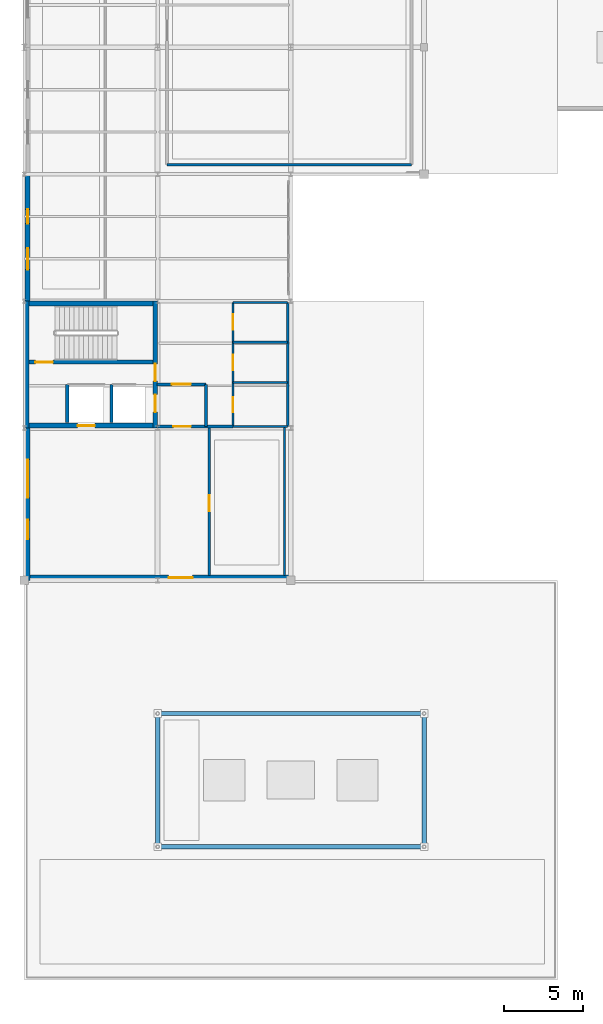
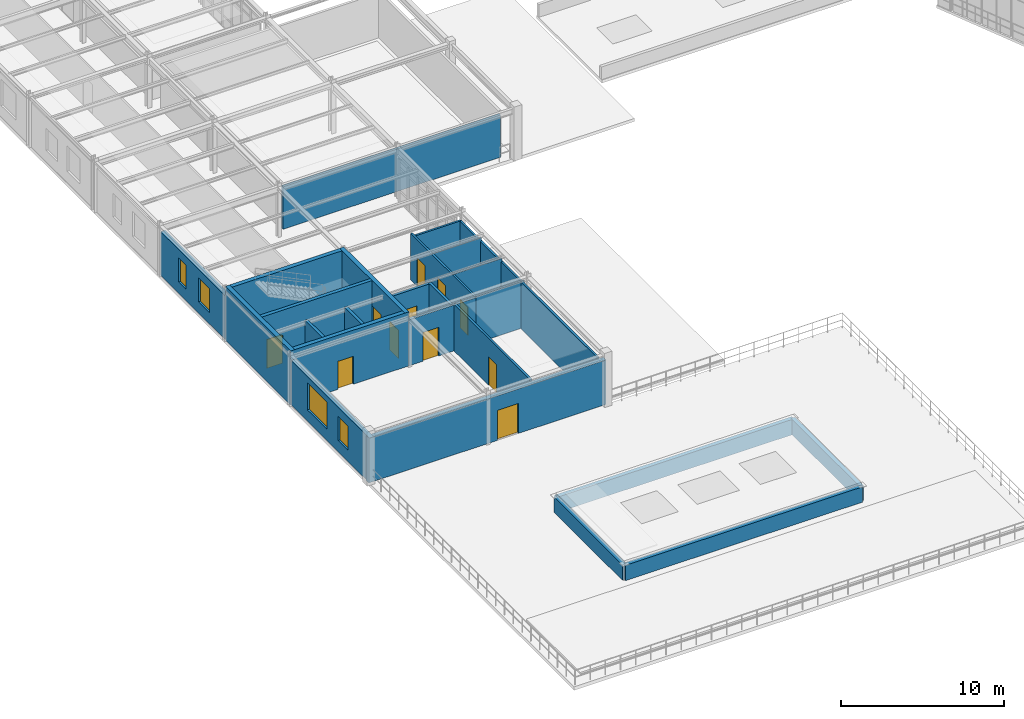
# One storey, part 53 of 70: 26 walls, 11 doors, 4 windows, 15 openings.
"""IFC4 building model written with IfcOpenShell, lengths in metres."""

from ifc_helpers import new_model, si_unit, derived_unit, direction, frame, frame_2d, origin, place, context, subcontext, project, spatial, rectangle, extrude, material, layer, layer_set, type_object, element, fill, save


model = new_model("IFC4")

# Units and contexts
model_context = context("Model", 3, precision=1e-05, world=origin(), true_north=direction((0.0, 1.0)))
body_context = subcontext(model_context, "Body", "Model", "MODEL_VIEW")
ifc_project = project(units=[si_unit("LENGTHUNIT", "METRE"), si_unit("AREAUNIT", "SQUARE_METRE"), si_unit("VOLUMEUNIT", "CUBIC_METRE"), si_unit("PLANEANGLEUNIT", "RADIAN"), si_unit("MASSUNIT", "GRAM", prefix="KILO"), derived_unit("THERMALTRANSMITTANCEUNIT", [(si_unit("POWERUNIT", "WATT"), 1), (si_unit("AREAUNIT", "SQUARE_METRE"), -1), (si_unit("THERMODYNAMICTEMPERATUREUNIT", "KELVIN"), -1)])], contexts=[model_context])

# Site, building, storey
site_placement = place(None, origin())
site = spatial("IfcSite", under=ifc_project, at=site_placement, CompositionType="ELEMENT")
building_placement = place(site_placement, origin())
building = spatial("IfcBuilding", under=site, at=building_placement, Name="Yasenodar Specialist Clinic", CompositionType="ELEMENT")
storey_placement = place(building_placement, frame((0.0, 0.0, 13.199951171875)))
storey = spatial("IfcBuildingStorey", under=building, at=storey_placement, Name="L03", CompositionType="ELEMENT", Elevation=13.199951171875)

# Walls
ifc_material_1 = material(Name="Courtyard Lime-Render Insulated Wall")
ifc_layer_1 = layer(ifc_material_1, 0.280029296875)
ifc_layer_set_1 = layer_set([ifc_layer_1], Name="Courtyard Lime-Render Insulated Wall")
wall_type_1 = type_object("IfcWallType", Name="EW-COURT-280", PredefinedType="SOLIDWALL", material=ifc_layer_set_1)
wall_1_placement = place(storey_placement, frame((8.39990234375, 8.39990234375, 0.0), z_axis=(0.0, 0.0, 1.0), x_axis=(0.0, 1.0, 0.0)))
element("IfcWall", 1, at=wall_1_placement, inside=storey, type_object=wall_type_1, Name="L03 Imaging Skylight Lantern Curb Wall", PredefinedType="SOLIDWALL", context=body_context, shape_type="SweptSolid", body=[
    extrude(rectangle(XDim=8.400146484375, YDim=0.280029296875, at=frame_2d((4.2001953125, 0.0))), origin(), (0.0, 0.0, 1.0), 1.150146484375),
])
wall_2_placement = place(storey_placement, frame((8.39990234375, 16.800048828125, 0.0), z_axis=(0.0, 0.0, 1.0), x_axis=(1.0, 0.0, 0.0)))
element("IfcWall", 2, at=wall_2_placement, inside=storey, type_object=wall_type_1, Name="L03 Imaging Skylight Lantern Curb Wall", PredefinedType="SOLIDWALL", context=body_context, shape_type="SweptSolid", body=[
    extrude(rectangle(XDim=16.800048828125, YDim=0.280029296875, at=frame_2d((8.39990234375, 0.0))), origin(), (0.0, 0.0, 1.0), 1.150146484375),
])
wall_3_placement = place(storey_placement, frame((25.199951171875, 16.800048828125, 0.0), z_axis=(0.0, 0.0, 1.0), x_axis=(0.0, -1.0, 0.0)))
element("IfcWall", 3, at=wall_3_placement, inside=storey, type_object=wall_type_1, Name="L03 Imaging Skylight Lantern Curb Wall", PredefinedType="SOLIDWALL", context=body_context, shape_type="SweptSolid", body=[
    extrude(rectangle(XDim=8.400146484375, YDim=0.280029296875, at=frame_2d((4.2001953125, 0.0))), origin(), (0.0, 0.0, 1.0), 1.150146484375),
])
wall_4_placement = place(storey_placement, frame((25.199951171875, 8.39990234375, 0.0), z_axis=(0.0, 0.0, 1.0), x_axis=(-1.0, 0.0, 0.0)))
element("IfcWall", 4, at=wall_4_placement, inside=storey, type_object=wall_type_1, Name="L03 Imaging Skylight Lantern Curb Wall", PredefinedType="SOLIDWALL", context=body_context, shape_type="SweptSolid", body=[
    extrude(rectangle(XDim=16.800048828125, YDim=0.280029296875, at=frame_2d((8.39990234375, 0.0))), origin(), (0.0, 0.0, 1.0), 1.150146484375),
])

# Wall, openings, windows
ifc_material_2 = material(Name="Buff Architectural Terracotta Rainscreen", Category="masonry")
ifc_layer_2 = layer(ifc_material_2, 0.340087890625)
ifc_layer_set_2 = layer_set([ifc_layer_2], Name="Buff Architectural Terracotta Rainscreen")
wall_type_2 = type_object("IfcWallType", Name="EW-TERR-340", PredefinedType="SOLIDWALL", material=ifc_layer_set_2)
wall_5_placement = place(storey_placement, frame((0.199951171875, 25.199951171875, 0.0), z_axis=(0.0, 0.0, 1.0), x_axis=(0.0, 1.0, 0.0)))
wall_5 = element("IfcWall", 5, at=wall_5_placement, inside=storey, type_object=wall_type_2, Name="L03 Exterior Facade Wall 0110", PredefinedType="SOLIDWALL", context=body_context, shape_type="SweptSolid", body=[
    extrude(rectangle(XDim=9.60009765625, YDim=0.340087890625, at=frame_2d((4.800048828125, 0.0))), origin(), (0.0, 0.0, 1.0), 3.338134765625),
])
opening_1_placement = place(wall_5_placement, frame((2.60009765625, 0.0, 0.85009765625)))
opening_1 = element("IfcOpeningElement", 6, at=opening_1_placement, cuts=wall_5, Name="Opening W-01", PredefinedType="OPENING", context=body_context, shape_type="SweptSolid", body=[
    extrude(rectangle(XDim=1.199951171875, YDim=1.800048828125, at=frame_2d((0.60009765625, 0.89990234375))), frame((0.0, 0.18017578125, 0.0), z_axis=(0.0, -1.0, 0.0), x_axis=(1.0, 0.0, 0.0)), (0.0, 0.0, 1.0), 0.360107421875),
])
opening_2_placement = place(wall_5_placement, frame((5.199951171875, 0.0, 0.85009765625)))
opening_2 = element("IfcOpeningElement", 7, at=opening_2_placement, cuts=wall_5, Name="Opening W-08", PredefinedType="OPENING", context=body_context, shape_type="SweptSolid", body=[
    extrude(rectangle(XDim=2.39990234375, YDim=2.050048828125, at=frame_2d((1.199951171875, 1.02490234375))), frame((0.0, 0.18017578125, 0.0), z_axis=(0.0, -1.0, 0.0), x_axis=(1.0, 0.0, 0.0)), (0.0, 0.0, 1.0), 0.360107421875),
])
ifc_material_3 = material(Name="Triple Low-E Argon Glazing in Bronze Aluminium Frame", Category="aluminium")
window_type_1 = type_object("IfcWindowType", Name="WIN-EXT-01", PartitioningType="SINGLE_PANEL", PredefinedType="WINDOW", material=ifc_material_3)
window_1_placement = place(opening_1_placement, origin())
window_1 = element("IfcWindow", 8, at=window_1_placement, inside=storey, type_object=window_type_1, Name="L03 Triple-Glazed Reveal Window 0109", OverallHeight=1.800048828125, OverallWidth=1.199951171875, PartitioningType="SINGLE_PANEL", PredefinedType="WINDOW", context=body_context, shape_type="SweptSolid", body=[
    extrude(rectangle(XDim=1.199951171875, YDim=1.800048828125, at=frame_2d((0.60009765625, 0.89990234375))), frame((0.0, 0.030029296875, 0.0), z_axis=(0.0, -1.0, 0.0), x_axis=(1.0, 0.0, 0.0)), (0.0, 0.0, 1.0), 0.06005859375),
])
fill(opening_1, window_1)
window_type_2 = type_object("IfcWindowType", Name="WIN-EXT-08", PartitioningType="SINGLE_PANEL", PredefinedType="WINDOW", material=ifc_material_3)
window_2_placement = place(opening_2_placement, origin())
window_2 = element("IfcWindow", 9, at=window_2_placement, inside=storey, type_object=window_type_2, Name="L03 Triple-Glazed Reveal Window 0110", OverallHeight=2.050048828125, OverallWidth=2.39990234375, PartitioningType="SINGLE_PANEL", PredefinedType="WINDOW", context=body_context, shape_type="SweptSolid", body=[
    extrude(rectangle(XDim=2.39990234375, YDim=2.050048828125, at=frame_2d((1.199951171875, 1.02490234375))), frame((0.0, 0.030029296875, 0.0), z_axis=(0.0, -1.0, 0.0), x_axis=(1.0, 0.0, 0.0)), (0.0, 0.0, 1.0), 0.06005859375),
])
fill(opening_2, window_2)

wall_6_placement = place(storey_placement, frame((0.199951171875, 42.800048828125, 0.0), z_axis=(0.0, 0.0, 1.0), x_axis=(0.0, 1.0, 0.0)))
wall_6 = element("IfcWall", 10, at=wall_6_placement, inside=storey, type_object=wall_type_2, Name="L03 Exterior Facade Wall 0111", PredefinedType="SOLIDWALL", context=body_context, shape_type="SweptSolid", body=[
    extrude(rectangle(XDim=8.0, YDim=0.340087890625, at=frame_2d((4.0, 0.0))), origin(), (0.0, 0.0, 1.0), 3.278076171875),
])
opening_3_placement = place(wall_6_placement, frame((1.99169921875, 0.0, 0.85009765625)))
opening_3 = element("IfcOpeningElement", 11, at=opening_3_placement, cuts=wall_6, Name="Opening W-02", PredefinedType="OPENING", context=body_context, shape_type="SweptSolid", body=[
    extrude(rectangle(XDim=1.35009765625, YDim=1.800048828125, at=frame_2d((0.675048828125, 0.89990234375))), frame((0.0, 0.18017578125, 0.0), z_axis=(0.0, -1.0, 0.0), x_axis=(1.0, 0.0, 0.0)), (0.0, 0.0, 1.0), 0.360107421875),
])
opening_4_placement = place(wall_6_placement, frame((4.88330078125, 0.0, 0.85009765625)))
opening_4 = element("IfcOpeningElement", 12, at=opening_4_placement, cuts=wall_6, Name="Opening W-09", PredefinedType="OPENING", context=body_context, shape_type="SweptSolid", body=[
    extrude(rectangle(XDim=0.89990234375, YDim=1.800048828125, at=frame_2d((0.449951171875, 0.89990234375))), frame((0.0, 0.18017578125, 0.0), z_axis=(0.0, -1.0, 0.0), x_axis=(1.0, 0.0, 0.0)), (0.0, 0.0, 1.0), 0.360107421875),
])
window_type_3 = type_object("IfcWindowType", Name="WIN-EXT-02", PartitioningType="SINGLE_PANEL", PredefinedType="WINDOW", material=ifc_material_3)
window_3_placement = place(opening_3_placement, origin())
window_3 = element("IfcWindow", 13, at=window_3_placement, inside=storey, type_object=window_type_3, Name="L03 Triple-Glazed Reveal Window 0111", OverallHeight=1.800048828125, OverallWidth=1.35009765625, PartitioningType="SINGLE_PANEL", PredefinedType="WINDOW", context=body_context, shape_type="SweptSolid", body=[
    extrude(rectangle(XDim=1.35009765625, YDim=1.800048828125, at=frame_2d((0.675048828125, 0.89990234375))), frame((0.0, 0.030029296875, 0.0), z_axis=(0.0, -1.0, 0.0), x_axis=(1.0, 0.0, 0.0)), (0.0, 0.0, 1.0), 0.06005859375),
])
fill(opening_3, window_3)
window_type_4 = type_object("IfcWindowType", Name="WIN-EXT-09", PartitioningType="SINGLE_PANEL", PredefinedType="WINDOW", material=ifc_material_3)
window_4_placement = place(opening_4_placement, origin())
window_4 = element("IfcWindow", 14, at=window_4_placement, inside=storey, type_object=window_type_4, Name="L03 Triple-Glazed Reveal Window 0112", OverallHeight=1.800048828125, OverallWidth=0.89990234375, PartitioningType="SINGLE_PANEL", PredefinedType="WINDOW", context=body_context, shape_type="SweptSolid", body=[
    extrude(rectangle(XDim=0.89990234375, YDim=1.800048828125, at=frame_2d((0.449951171875, 0.89990234375))), frame((0.0, 0.030029296875, 0.0), z_axis=(0.0, -1.0, 0.0), x_axis=(1.0, 0.0, 0.0)), (0.0, 0.0, 1.0), 0.06005859375),
])
fill(opening_4, window_4)

# Wall, opening, door
wall_7_placement = place(storey_placement, frame((16.800048828125, 25.35009765625, 0.0), z_axis=(0.0, 0.0, 1.0), x_axis=(-1.0, 0.0, 0.0)))
wall_7 = element("IfcWall", 15, at=wall_7_placement, inside=storey, type_object=wall_type_2, Name="L03 Exterior Facade Wall 0118", PredefinedType="SOLIDWALL", context=body_context, shape_type="SweptSolid", body=[
    extrude(rectangle(XDim=16.800048828125, YDim=0.340087890625, at=frame_2d((8.39990234375, 0.0))), origin(), (0.0, 0.0, 1.0), 3.338134765625),
])
opening_5_placement = place(wall_7_placement, frame((6.199951171875, 0.0, 0.0)))
opening_5 = element("IfcOpeningElement", 16, at=opening_5_placement, cuts=wall_7, Name="Opening TD-01", PredefinedType="OPENING", context=body_context, shape_type="SweptSolid", body=[
    extrude(rectangle(XDim=1.5, YDim=2.25, at=frame_2d((0.75, 1.125))), frame((0.0, 0.18017578125, 0.0), z_axis=(0.0, -1.0, 0.0), x_axis=(1.0, 0.0, 0.0)), (0.0, 0.0, 1.0), 0.360107421875),
])
ifc_material_4 = material(Name="Thermally Broken Bronze Anodized Aluminium and Laminated Glass", Category="aluminium")
door_type_1 = type_object("IfcDoorType", Name="DR-TERR-150", OperationType="DOUBLE_DOOR_SINGLE_SWING", PredefinedType="DOOR", material=ifc_material_4)
door_1_placement = place(opening_5_placement, origin())
door_1 = element("IfcDoor", 17, at=door_1_placement, inside=storey, type_object=door_type_1, Name="L03 L03 V2 Planted Roof Terrace Access Door", OperationType="DOUBLE_DOOR_SINGLE_SWING", OverallHeight=2.25, OverallWidth=1.5, PredefinedType="DOOR", context=body_context, shape_type="SweptSolid", body=[
    extrude(rectangle(XDim=1.5, YDim=2.25, at=frame_2d((0.75, 1.125))), frame((0.0, 0.02490234375, 0.0), z_axis=(0.0, -1.0, 0.0), x_axis=(1.0, 0.0, 0.0)), (0.0, 0.0, 1.0), 0.050048828125),
])
fill(opening_5, door_1)

ifc_material_5 = material(Name="Outpatient Examination Partition")
ifc_layer_3 = layer(ifc_material_5, 0.14990234375)
ifc_layer_set_3 = layer_set([ifc_layer_3], Name="Outpatient Examination Partition")
wall_type_3 = type_object("IfcWallType", Name="IW-CONS-150", PredefinedType="PARTITIONING", material=ifc_layer_set_3)
wall_8_placement = place(storey_placement, frame((11.64990234375, 25.5, 0.0), z_axis=(0.0, 0.0, 1.0), x_axis=(0.0, 1.0, 0.0)))
wall_8 = element("IfcWall", 18, at=wall_8_placement, inside=storey, type_object=wall_type_3, Name="L03 Terrace Rehabilitation Lounge Partition", PredefinedType="PARTITIONING", context=body_context, shape_type="SweptSolid", body=[
    extrude(rectangle(XDim=9.322509765625, YDim=0.14990234375, at=frame_2d((4.6611328125, 0.0))), origin(), (0.0, 0.0, 1.0), 3.508056640625),
])
opening_6_placement = place(wall_8_placement, frame((4.050048828125, 0.0, 0.0)))
opening_6 = element("IfcOpeningElement", 19, at=opening_6_placement, cuts=wall_8, Name="Opening D-03", PredefinedType="OPENING", context=body_context, shape_type="SweptSolid", body=[
    extrude(rectangle(XDim=1.02001953125, YDim=2.14990234375, at=frame_2d((0.510009765625, 1.074951171875))), frame((0.0, 0.0849609375, 0.0), z_axis=(0.0, -1.0, 0.0), x_axis=(1.0, 0.0, 0.0)), (0.0, 0.0, 1.0), 0.169921875),
])
ifc_material_6 = material(Name="Powder-Coated Steel and Acoustic Laminate Leaf", Category="steel")
door_type_2 = type_object("IfcDoorType", Name="DR-CLN-102", OperationType="NOTDEFINED", PredefinedType="DOOR", material=ifc_material_6)
door_2_placement = place(opening_6_placement, origin())
door_2 = element("IfcDoor", 20, at=door_2_placement, inside=storey, type_object=door_type_2, Name="L03 Terrace Rehabilitation Lounge Door", OperationType="SINGLE_SWING_RIGHT", OverallHeight=2.14990234375, OverallWidth=1.02001953125, PredefinedType="DOOR", context=body_context, shape_type="SweptSolid", body=[
    extrude(rectangle(XDim=1.02001953125, YDim=2.14990234375, at=frame_2d((0.510009765625, 1.074951171875))), frame((0.0, 0.02490234375, 0.0), z_axis=(0.0, -1.0, 0.0), x_axis=(1.0, 0.0, 0.0)), (0.0, 0.0, 1.0), 0.050048828125),
])
fill(opening_6, door_2)

# Wall
wall_9_placement = place(storey_placement, frame((16.39990234375, 34.85009765625, 0.0), z_axis=(0.0, 0.0, 1.0), x_axis=(0.0, -1.0, 0.0)))
element("IfcWall", 21, at=wall_9_placement, inside=storey, type_object=wall_type_3, Name="L03 Terrace Rehabilitation Lounge Partition", PredefinedType="PARTITIONING", context=body_context, shape_type="SweptSolid", body=[
    extrude(rectangle(XDim=9.35009765625, YDim=0.14990234375, at=frame_2d((4.675048828125, 0.0))), origin(), (0.0, 0.0, 1.0), 3.508056640625),
])

# Wall, opening, door
ifc_material_7 = material(Name="Fire-Rated Gypsum and Mineral-Wool Wall")
ifc_layer_4 = layer(ifc_material_7, 0.195068359375)
ifc_layer_set_4 = layer_set([ifc_layer_4], Name="Fire-Rated Gypsum and Mineral-Wool Wall")
wall_type_4 = type_object("IfcWallType", Name="IW-LOBBY-195", PredefinedType="PARTITIONING", material=ifc_layer_set_4)
wall_10_placement = place(storey_placement, frame((8.35009765625, 37.550048828125, 0.0), z_axis=(0.0, 0.0, 1.0), x_axis=(1.0, 0.0, 0.0)))
wall_10 = element("IfcWall", 22, at=wall_10_placement, inside=storey, type_object=wall_type_4, Name="L03 C1 Passenger Lift Lobby North Wall", PredefinedType="PARTITIONING", context=body_context, shape_type="SweptSolid", body=[
    extrude(rectangle(XDim=3.099853515625, YDim=0.195068359375, at=frame_2d((1.5498046875, 0.0))), origin(), (0.0, 0.0, 1.0), 3.47802734375),
])
opening_7_placement = place(wall_10_placement, frame((0.949951171875, 0.0, 0.0)))
opening_7 = element("IfcOpeningElement", 23, at=opening_7_placement, cuts=wall_10, Name="Opening FD-02", PredefinedType="OPENING", context=body_context, shape_type="SweptSolid", body=[
    extrude(rectangle(XDim=1.199951171875, YDim=2.14990234375, at=frame_2d((0.60009765625, 1.074951171875))), frame((0.0, 0.107421875, 0.0), z_axis=(0.0, -1.0, 0.0), x_axis=(1.0, 0.0, 0.0)), (0.0, 0.0, 1.0), 0.215087890625),
])
ifc_material_8 = material(Name="Fire-Rated Insulated Steel Door", Category="steel")
door_type_3 = type_object("IfcDoorType", Name="DR-FD-120", OperationType="NOTDEFINED", PredefinedType="DOOR", material=ifc_material_8)
door_3_placement = place(opening_7_placement, origin())
door_3 = element("IfcDoor", 24, at=door_3_placement, inside=storey, type_object=door_type_3, Name="L03 C1 Passenger Lift Lobby Door", OperationType="SINGLE_SWING_LEFT", OverallHeight=2.14990234375, OverallWidth=1.199951171875, PredefinedType="DOOR", context=body_context, shape_type="SweptSolid", body=[
    extrude(rectangle(XDim=1.199951171875, YDim=2.14990234375, at=frame_2d((0.60009765625, 1.074951171875))), frame((0.0, 0.02490234375, 0.0), z_axis=(0.0, -1.0, 0.0), x_axis=(1.0, 0.0, 0.0)), (0.0, 0.0, 1.0), 0.050048828125),
])
fill(opening_7, door_3)

# Wall
wall_11_placement = place(storey_placement, frame((11.449951171875, 34.89990234375, 0.0), z_axis=(0.0, 0.0, 1.0), x_axis=(0.0, 1.0, 0.0)))
element("IfcWall", 25, at=wall_11_placement, inside=storey, type_object=wall_type_4, Name="L03 C1 Passenger Lift Lobby East Wall", PredefinedType="PARTITIONING", context=body_context, shape_type="SweptSolid", body=[
    extrude(rectangle(XDim=2.650146484375, YDim=0.195068359375, at=frame_2d((1.3251953125, 0.0))), origin(), (0.0, 0.0, 1.0), 3.508056640625),
])

# Wall, opening, door
wall_12_placement = place(storey_placement, frame((8.35009765625, 34.89990234375, 0.0), z_axis=(0.0, 0.0, 1.0), x_axis=(1.0, 0.0, 0.0)))
wall_12 = element("IfcWall", 26, at=wall_12_placement, inside=storey, type_object=wall_type_4, Name="L03 C1 Passenger Lift Lobby South Wall", PredefinedType="PARTITIONING", context=body_context, shape_type="SweptSolid", body=[
    extrude(rectangle(XDim=4.7998046875, YDim=0.195068359375, at=frame_2d((2.39990234375, 0.0))), origin(), (0.0, 0.0, 1.0), 3.43798828125),
])
opening_8_placement = place(wall_12_placement, frame((1.050048828125, 0.0, 0.0)))
opening_8 = element("IfcOpeningElement", 27, at=opening_8_placement, cuts=wall_12, Name="Opening FD-01", PredefinedType="OPENING", context=body_context, shape_type="SweptSolid", body=[
    extrude(rectangle(XDim=1.10009765625, YDim=2.14990234375, at=frame_2d((0.550048828125, 1.074951171875))), frame((0.0, 0.107421875, 0.0), z_axis=(0.0, -1.0, 0.0), x_axis=(1.0, 0.0, 0.0)), (0.0, 0.0, 1.0), 0.215087890625),
])
door_type_4 = type_object("IfcDoorType", Name="DR-FD-110", OperationType="NOTDEFINED", PredefinedType="DOOR", material=ifc_material_8)
door_4_placement = place(opening_8_placement, origin())
door_4 = element("IfcDoor", 28, at=door_4_placement, inside=storey, type_object=door_type_4, Name="L03 C1 South Spine Door", OperationType="SINGLE_SWING_RIGHT", OverallHeight=2.14990234375, OverallWidth=1.10009765625, PredefinedType="DOOR", context=body_context, shape_type="SweptSolid", body=[
    extrude(rectangle(XDim=1.10009765625, YDim=2.14990234375, at=frame_2d((0.550048828125, 1.074951171875))), frame((0.0, 0.02490234375, 0.0), z_axis=(0.0, -1.0, 0.0), x_axis=(1.0, 0.0, 0.0)), (0.0, 0.0, 1.0), 0.050048828125),
])
fill(opening_8, door_4)

# Walls
ifc_material_9 = material(Name="Hygienic Double-Stud Clinical Partition")
ifc_layer_5 = layer(ifc_material_9, 0.179931640625)
ifc_layer_set_5 = layer_set([ifc_layer_5], Name="Hygienic Double-Stud Clinical Partition")
wall_type_5 = type_object("IfcWallType", Name="IW-PROC-180", PredefinedType="PARTITIONING", material=ifc_layer_set_5)
wall_13_placement = place(storey_placement, frame((24.39990234375, 51.39990234375, 0.0), z_axis=(0.0, 0.0, 1.0), x_axis=(-1.0, 0.0, 0.0)))
element("IfcWall", 29, at=wall_13_placement, inside=storey, type_object=wall_type_5, Name="L03 Orthopedic and Spine Clinic Partition", PredefinedType="PARTITIONING", context=body_context, shape_type="SweptSolid", body=[
    extrude(rectangle(XDim=15.39990234375, YDim=0.179931640625, at=frame_2d((7.699951171875, 0.0))), origin(), (0.0, 0.0, 1.0), 3.177978515625),
])
ifc_material_10 = material(Name="Aerated Concrete Blockwork Fire Shaft Wall", Category="masonry")
ifc_layer_6 = layer(ifc_material_10, 0.205078125)
ifc_layer_set_6 = layer_set([ifc_layer_6], Name="Aerated Concrete Blockwork Fire Shaft Wall")
wall_type_6 = type_object("IfcWallType", Name="IW-SHAFT-205", PredefinedType="PARTITIONING", material=ifc_layer_set_6)
for number, where, z_axis, x_axis, name in (
    (30, (5.5, 35.14990234375, 0.0), (0.0, 0.0, 1.0), (0.0, 1.0, 0.0), "L03 LF-01 Lift Shaft Side Wall"),
    (31, (2.699951171875, 35.14990234375, 0.0), (0.0, 0.0, 1.0), (0.0, 1.0, 0.0), "L03 LF-05 Lift Shaft Side Wall"),
):
    element("IfcWall", number, at=place(storey_placement, frame(where, z_axis=z_axis, x_axis=x_axis)), inside=storey, type_object=wall_type_6, Name=name, PredefinedType="PARTITIONING", context=body_context, shape_type="SweptSolid", body=[
        extrude(rectangle(XDim=2.400146484375, YDim=0.205078125, at=frame_2d((1.2001953125, 0.0))), origin(), (0.0, 0.0, 1.0), 3.780029296875),
    ])

# Wall, openings, doors
ifc_material_11 = material(Name="Moisture-Resistant Sanitary Partition")
ifc_layer_7 = layer(ifc_material_11, 0.139892578125)
ifc_layer_set_7 = layer_set([ifc_layer_7], Name="Moisture-Resistant Sanitary Partition")
wall_type_7 = type_object("IfcWallType", Name="IW-WET-140", PredefinedType="PARTITIONING", material=ifc_layer_set_7)
wall_14_placement = place(storey_placement, frame((13.14990234375, 34.89990234375, 0.0), z_axis=(0.0, 0.0, 1.0), x_axis=(0.0, 1.0, 0.0)))
wall_14 = element("IfcWall", 32, at=wall_14_placement, inside=storey, type_object=wall_type_7, Name="L03 West Sanitary Block Corridor Wall", PredefinedType="PARTITIONING", context=body_context, shape_type="SweptSolid", body=[
    extrude(rectangle(XDim=7.820068359375, YDim=0.139892578125, at=frame_2d((3.91015625, 0.0))), origin(), (0.0, 0.0, 1.0), 3.47802734375),
])
opening_9_placement = place(wall_14_placement, frame((0.89990234375, 0.0, 0.0)))
opening_9 = element("IfcOpeningElement", 33, at=opening_9_placement, cuts=wall_14, Name="Opening D-01", PredefinedType="OPENING", context=body_context, shape_type="SweptSolid", body=[
    extrude(rectangle(XDim=0.949951171875, YDim=2.1201171875, at=frame_2d((0.47509765625, 1.06005859375))), frame((0.0, 0.080078125, 0.0), z_axis=(0.0, -1.0, 0.0), x_axis=(1.0, 0.0, 0.0)), (0.0, 0.0, 1.0), 0.159912109375),
])
opening_10_placement = place(wall_14_placement, frame((3.550048828125, 0.0, 0.0)))
opening_10 = element("IfcOpeningElement", 34, at=opening_10_placement, cuts=wall_14, Name="Opening D-02", PredefinedType="OPENING", context=body_context, shape_type="SweptSolid", body=[
    extrude(rectangle(XDim=0.97998046875, YDim=2.139892578125, at=frame_2d((0.489990234375, 1.06982421875))), frame((0.0, 0.080078125, 0.0), z_axis=(0.0, -1.0, 0.0), x_axis=(1.0, 0.0, 0.0)), (0.0, 0.0, 1.0), 0.159912109375),
])
opening_11_placement = place(wall_14_placement, frame((6.080078125, 0.0, 0.0)))
opening_11 = element("IfcOpeningElement", 35, at=opening_11_placement, cuts=wall_14, Name="Opening D-02", PredefinedType="OPENING", context=body_context, shape_type="SweptSolid", body=[
    extrude(rectangle(XDim=0.97998046875, YDim=2.139892578125, at=frame_2d((0.489990234375, 1.06982421875))), frame((0.0, 0.080078125, 0.0), z_axis=(0.0, -1.0, 0.0), x_axis=(1.0, 0.0, 0.0)), (0.0, 0.0, 1.0), 0.159912109375),
])
door_type_5 = type_object("IfcDoorType", Name="DR-CLN-095", OperationType="NOTDEFINED", PredefinedType="DOOR", material=ifc_material_6)
door_5_placement = place(opening_9_placement, origin())
door_5 = element("IfcDoor", 36, at=door_5_placement, inside=storey, type_object=door_type_5, Name="L03 Accessible WC Door", OperationType="SINGLE_SWING_LEFT", OverallHeight=2.1201171875, OverallWidth=0.949951171875, PredefinedType="DOOR", context=body_context, shape_type="SweptSolid", body=[
    extrude(rectangle(XDim=0.949951171875, YDim=2.1201171875, at=frame_2d((0.47509765625, 1.06005859375))), frame((0.0, 0.02490234375, 0.0), z_axis=(0.0, -1.0, 0.0), x_axis=(1.0, 0.0, 0.0)), (0.0, 0.0, 1.0), 0.050048828125),
])
fill(opening_9, door_5)
door_type_6 = type_object("IfcDoorType", Name="DR-CLN-098", OperationType="NOTDEFINED", PredefinedType="DOOR", material=ifc_material_6)
door_6_placement = place(opening_10_placement, origin())
door_6 = element("IfcDoor", 37, at=door_6_placement, inside=storey, type_object=door_type_6, Name="L03 Patient Washroom WC Door", OperationType="SINGLE_SWING_RIGHT", OverallHeight=2.139892578125, OverallWidth=0.97998046875, PredefinedType="DOOR", context=body_context, shape_type="SweptSolid", body=[
    extrude(rectangle(XDim=0.97998046875, YDim=2.139892578125, at=frame_2d((0.489990234375, 1.06982421875))), frame((0.0, 0.02490234375, 0.0), z_axis=(0.0, -1.0, 0.0), x_axis=(1.0, 0.0, 0.0)), (0.0, 0.0, 1.0), 0.050048828125),
])
fill(opening_10, door_6)
door_7_placement = place(opening_11_placement, origin())
door_7 = element("IfcDoor", 38, at=door_7_placement, inside=storey, type_object=door_type_6, Name="L03 Staff Washroom WC Door", OperationType="SINGLE_SWING_LEFT", OverallHeight=2.139892578125, OverallWidth=0.97998046875, PredefinedType="DOOR", context=body_context, shape_type="SweptSolid", body=[
    extrude(rectangle(XDim=0.97998046875, YDim=2.139892578125, at=frame_2d((0.489990234375, 1.06982421875))), frame((0.0, 0.02490234375, 0.0), z_axis=(0.0, -1.0, 0.0), x_axis=(1.0, 0.0, 0.0)), (0.0, 0.0, 1.0), 0.050048828125),
])
fill(opening_11, door_7)

# Walls
wall_15_placement = place(storey_placement, frame((16.60009765625, 34.89990234375, 0.0), z_axis=(0.0, 0.0, 1.0), x_axis=(0.0, 1.0, 0.0)))
element("IfcWall", 39, at=wall_15_placement, inside=storey, type_object=wall_type_7, Name="L03 West Sanitary Block East Wall", PredefinedType="PARTITIONING", context=body_context, shape_type="SweptSolid", body=[
    extrude(rectangle(XDim=7.820068359375, YDim=0.139892578125, at=frame_2d((3.91015625, 0.0))), origin(), (0.0, 0.0, 1.0), 3.22802734375),
])
wall_16_placement = place(storey_placement, frame((13.14990234375, 34.89990234375, 0.0), z_axis=(0.0, 0.0, 1.0), x_axis=(1.0, 0.0, 0.0)))
element("IfcWall", 40, at=wall_16_placement, inside=storey, type_object=wall_type_7, Name="L03 West Sanitary Block South Wall", PredefinedType="PARTITIONING", context=body_context, shape_type="SweptSolid", body=[
    extrude(rectangle(XDim=3.4501953125, YDim=0.139892578125, at=frame_2d((1.72509765625, 0.0))), origin(), (0.0, 0.0, 1.0), 3.488037109375),
])
wall_17_placement = place(storey_placement, frame((13.14990234375, 42.719970703125, 0.0), z_axis=(0.0, 0.0, 1.0), x_axis=(1.0, 0.0, 0.0)))
element("IfcWall", 41, at=wall_17_placement, inside=storey, type_object=wall_type_7, Name="L03 West Sanitary Block North Wall", PredefinedType="PARTITIONING", context=body_context, shape_type="SweptSolid", body=[
    extrude(rectangle(XDim=3.4501953125, YDim=0.139892578125, at=frame_2d((1.72509765625, 0.0))), origin(), (0.0, 0.0, 1.0), 3.22802734375),
])
wall_18_placement = place(storey_placement, frame((13.14990234375, 37.659912109375, 0.0), z_axis=(0.0, 0.0, 1.0), x_axis=(1.0, 0.0, 0.0)))
element("IfcWall", 42, at=wall_18_placement, inside=storey, type_object=wall_type_7, Name="L03 West Accessible WC Divider Wall", PredefinedType="PARTITIONING", context=body_context, shape_type="SweptSolid", body=[
    extrude(rectangle(XDim=3.4501953125, YDim=0.139892578125, at=frame_2d((1.72509765625, 0.0))), origin(), (0.0, 0.0, 1.0), 3.488037109375),
])
wall_19_placement = place(storey_placement, frame((13.14990234375, 40.2099609375, 0.0), z_axis=(0.0, 0.0, 1.0), x_axis=(1.0, 0.0, 0.0)))
element("IfcWall", 43, at=wall_19_placement, inside=storey, type_object=wall_type_7, Name="L03 West Patient and Staff WC Divider Wall", PredefinedType="PARTITIONING", context=body_context, shape_type="SweptSolid", body=[
    extrude(rectangle(XDim=3.4501953125, YDim=0.139892578125, at=frame_2d((1.72509765625, 0.0))), origin(), (0.0, 0.0, 1.0), 3.47802734375),
])

# Wall, opening, door
ifc_material_12 = material(Name="Concrete C35/45", Category="concrete")
ifc_layer_8 = layer(ifc_material_12, 0.25)
ifc_layer_set_8 = layer_set([ifc_layer_8], Name="Concrete C35/45")
wall_type_8 = type_object("IfcWallType", Name="WL-CORE-250", PredefinedType="SHEAR", material=ifc_layer_set_8)
wall_20_placement = place(storey_placement, frame((0.300048828125, 38.949951171875, 0.0), z_axis=(0.0, 0.0, 1.0), x_axis=(1.0, 0.0, 0.0)))
wall_20 = element("IfcWall", 44, at=wall_20_placement, inside=storey, type_object=wall_type_8, Name="L03 Core C1 Central Spine Wall", PredefinedType="SHEAR", context=body_context, shape_type="SweptSolid", body=[
    extrude(rectangle(XDim=7.800048828125, YDim=0.25, at=frame_2d((3.89990234375, 0.0))), origin(), (0.0, 0.0, 1.0), 4.050048828125),
])
opening_12_placement = place(wall_20_placement, frame((0.39990234375, 0.0, 0.0)))
opening_12 = element("IfcOpeningElement", 45, at=opening_12_placement, cuts=wall_20, Name="Opening FD-01", PredefinedType="OPENING", context=body_context, shape_type="SweptSolid", body=[
    extrude(rectangle(XDim=1.10009765625, YDim=2.14990234375, at=frame_2d((0.550048828125, 1.074951171875))), frame((0.0, 0.135009765625, 0.0), z_axis=(0.0, -1.0, 0.0), x_axis=(1.0, 0.0, 0.0)), (0.0, 0.0, 1.0), 0.27001953125),
])
door_8_placement = place(opening_12_placement, origin())
door_8 = element("IfcDoor", 46, at=door_8_placement, inside=storey, type_object=door_type_4, Name="L03 ST-01 Protected Stair Door", OperationType="SINGLE_SWING_LEFT", OverallHeight=2.14990234375, OverallWidth=1.10009765625, PredefinedType="DOOR", context=body_context, shape_type="SweptSolid", body=[
    extrude(rectangle(XDim=1.10009765625, YDim=2.14990234375, at=frame_2d((0.550048828125, 1.074951171875))), frame((0.0, 0.02490234375, 0.0), z_axis=(0.0, -1.0, 0.0), x_axis=(1.0, 0.0, 0.0)), (0.0, 0.0, 1.0), 0.050048828125),
])
fill(opening_12, door_8)

# Wall
ifc_layer_9 = layer(ifc_material_12, 0.300048828125)
ifc_layer_set_9 = layer_set([ifc_layer_9], Name="Concrete C35/45")
wall_type_9 = type_object("IfcWallType", Name="WL-CORE-300", PredefinedType="SHEAR", material=ifc_layer_set_9)
wall_21_placement = place(storey_placement, frame((0.0, 42.64990234375, 0.0), z_axis=(0.0, 0.0, 1.0), x_axis=(1.0, 0.0, 0.0)))
element("IfcWall", 47, at=wall_21_placement, inside=storey, type_object=wall_type_9, Name="L03 Core C1 North Shear Wall", PredefinedType="SHEAR", context=body_context, shape_type="SweptSolid", body=[
    extrude(rectangle(XDim=8.39990234375, YDim=0.300048828125, at=frame_2d((4.199951171875, 0.0))), origin(), (0.0, 0.0, 1.0), 4.050048828125),
])

# Wall, opening, door
wall_22_placement = place(storey_placement, frame((0.0, 34.949951171875, 0.0), z_axis=(0.0, 0.0, 1.0), x_axis=(1.0, 0.0, 0.0)))
wall_22 = element("IfcWall", 48, at=wall_22_placement, inside=storey, type_object=wall_type_9, Name="L03 Core C1 South Shear Wall", PredefinedType="SHEAR", context=body_context, shape_type="SweptSolid", body=[
    extrude(rectangle(XDim=8.39990234375, YDim=0.300048828125, at=frame_2d((4.199951171875, 0.0))), origin(), (0.0, 0.0, 1.0), 4.050048828125),
])
opening_13_placement = place(wall_22_placement, frame((3.35009765625, 0.0, 0.0)))
opening_13 = element("IfcOpeningElement", 49, at=opening_13_placement, cuts=wall_22, Name="Opening LD-03", PredefinedType="OPENING", context=body_context, shape_type="SweptSolid", body=[
    extrude(rectangle(XDim=1.10009765625, YDim=2.10009765625, at=frame_2d((0.550048828125, 1.050048828125))), frame((0.0, 0.16015625, 0.0), z_axis=(0.0, -1.0, 0.0), x_axis=(1.0, 0.0, 0.0)), (0.0, 0.0, 1.0), 0.320068359375),
])
door_type_7 = type_object("IfcDoorType", Name="DR-LD-110", OperationType="DOUBLE_DOOR_SLIDING", PredefinedType="DOOR", material=ifc_material_8)
door_9_placement = place(opening_13_placement, origin())
door_9 = element("IfcDoor", 50, at=door_9_placement, inside=storey, type_object=door_type_7, Name="L03 LF-05 Lift Landing Door", OperationType="DOUBLE_DOOR_SLIDING", OverallHeight=2.10009765625, OverallWidth=1.10009765625, PredefinedType="DOOR", context=body_context, shape_type="SweptSolid", body=[
    extrude(rectangle(XDim=1.10009765625, YDim=2.10009765625, at=frame_2d((0.550048828125, 1.050048828125))), frame((0.0, 0.02490234375, 0.0), z_axis=(0.0, -1.0, 0.0), x_axis=(1.0, 0.0, 0.0)), (0.0, 0.0, 1.0), 0.050048828125),
])
fill(opening_13, door_9)

# Wall
wall_23_placement = place(storey_placement, frame((0.14990234375, 34.800048828125, 0.0), z_axis=(0.0, 0.0, 1.0), x_axis=(0.0, 1.0, 0.0)))
element("IfcWall", 51, at=wall_23_placement, inside=storey, type_object=wall_type_9, Name="L03 Core C1 West Shear Wall", PredefinedType="SHEAR", context=body_context, shape_type="SweptSolid", body=[
    extrude(rectangle(XDim=8.0, YDim=0.300048828125, at=frame_2d((4.0, 0.0))), origin(), (0.0, 0.0, 1.0), 4.050048828125),
])

# Wall, openings, doors
wall_24_placement = place(storey_placement, frame((8.25, 34.800048828125, 0.0), z_axis=(0.0, 0.0, 1.0), x_axis=(0.0, 1.0, 0.0)))
wall_24 = element("IfcWall", 52, at=wall_24_placement, inside=storey, type_object=wall_type_9, Name="L03 Core C1 East Shear Wall", PredefinedType="SHEAR", context=body_context, shape_type="SweptSolid", body=[
    extrude(rectangle(XDim=8.0, YDim=0.300048828125, at=frame_2d((4.0, 0.0))), origin(), (0.0, 0.0, 1.0), 4.050048828125),
])
opening_14_placement = place(wall_24_placement, frame((2.949951171875, 0.0, 0.0)))
opening_14 = element("IfcOpeningElement", 53, at=opening_14_placement, cuts=wall_24, Name="Opening FD-01", PredefinedType="OPENING", context=body_context, shape_type="SweptSolid", body=[
    extrude(rectangle(XDim=1.10009765625, YDim=2.14990234375, at=frame_2d((0.550048828125, 1.074951171875))), frame((0.0, 0.16015625, 0.0), z_axis=(0.0, -1.0, 0.0), x_axis=(1.0, 0.0, 0.0)), (0.0, 0.0, 1.0), 0.320068359375),
])
opening_15_placement = place(wall_24_placement, frame((1.0, 0.0, 0.0)))
opening_15 = element("IfcOpeningElement", 54, at=opening_15_placement, cuts=wall_24, Name="Opening LD-03", PredefinedType="OPENING", context=body_context, shape_type="SweptSolid", body=[
    extrude(rectangle(XDim=1.10009765625, YDim=2.10009765625, at=frame_2d((0.550048828125, 1.050048828125))), frame((0.0, 0.16015625, 0.0), z_axis=(0.0, -1.0, 0.0), x_axis=(1.0, 0.0, 0.0)), (0.0, 0.0, 1.0), 0.320068359375),
])
door_10_placement = place(opening_14_placement, origin())
door_10 = element("IfcDoor", 55, at=door_10_placement, inside=storey, type_object=door_type_4, Name="L03 Stair ST-01 Vestibule Door", OperationType="SINGLE_SWING_LEFT", OverallHeight=2.14990234375, OverallWidth=1.10009765625, PredefinedType="DOOR", context=body_context, shape_type="SweptSolid", body=[
    extrude(rectangle(XDim=1.10009765625, YDim=2.14990234375, at=frame_2d((0.550048828125, 1.074951171875))), frame((0.0, 0.02490234375, 0.0), z_axis=(0.0, -1.0, 0.0), x_axis=(1.0, 0.0, 0.0)), (0.0, 0.0, 1.0), 0.050048828125),
])
fill(opening_14, door_10)
door_11_placement = place(opening_15_placement, origin())
door_11 = element("IfcDoor", 56, at=door_11_placement, inside=storey, type_object=door_type_7, Name="L03 LF-01 Lift Landing Door", OperationType="DOUBLE_DOOR_SLIDING", OverallHeight=2.10009765625, OverallWidth=1.10009765625, PredefinedType="DOOR", context=body_context, shape_type="SweptSolid", body=[
    extrude(rectangle(XDim=1.10009765625, YDim=2.10009765625, at=frame_2d((0.550048828125, 1.050048828125))), frame((0.0, 0.02490234375, 0.0), z_axis=(0.0, -1.0, 0.0), x_axis=(1.0, 0.0, 0.0)), (0.0, 0.0, 1.0), 0.050048828125),
])
fill(opening_15, door_11)

save(model, "model.ifc")
